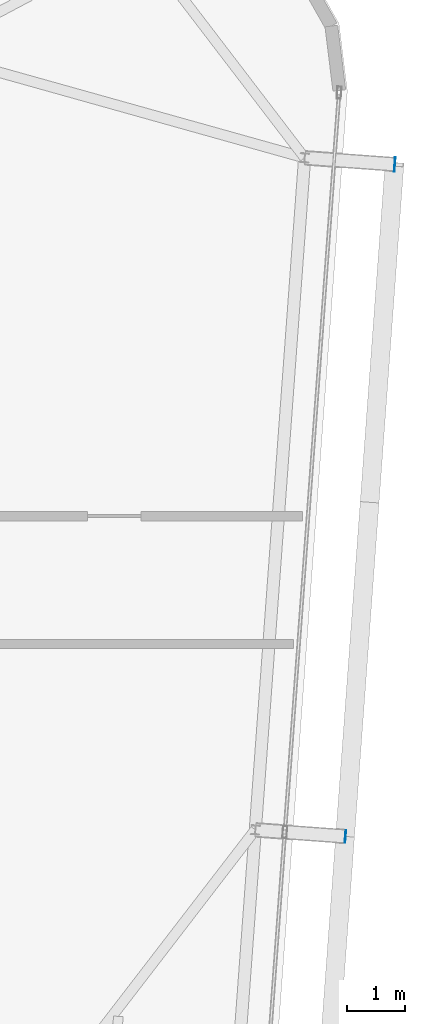
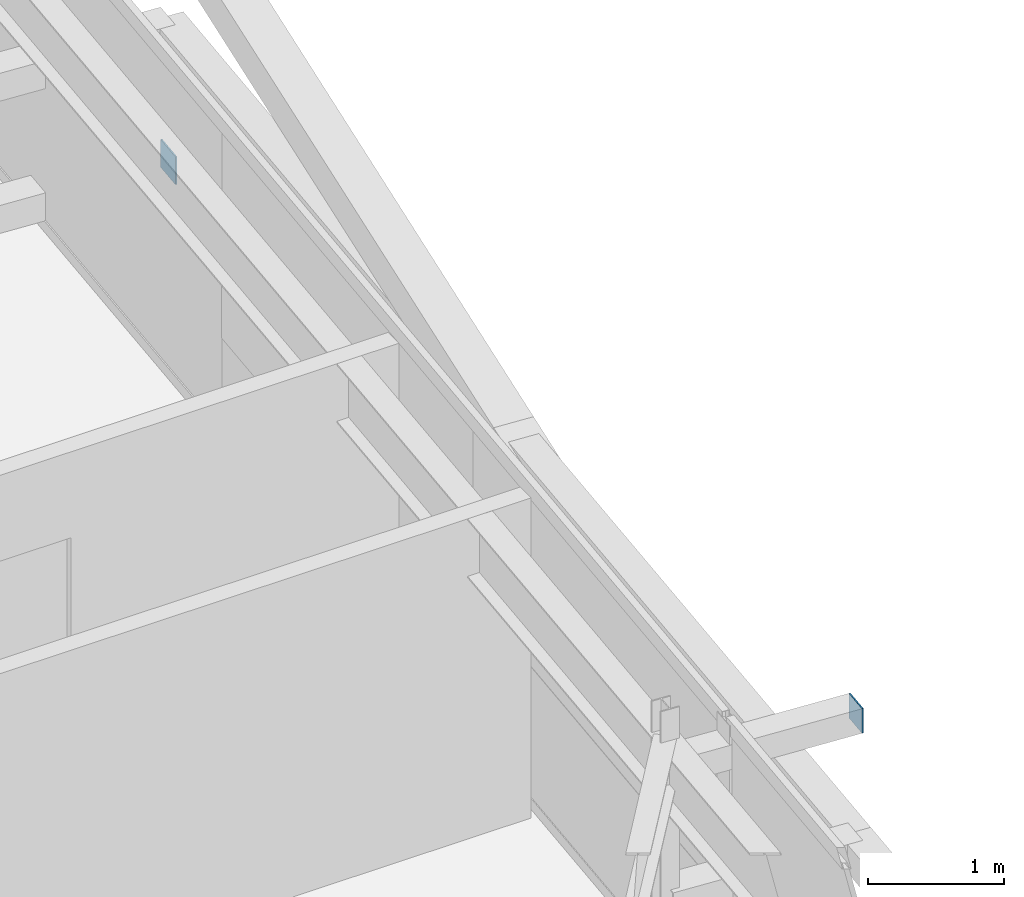
# One storey, part 33 of 40: 2 plates.
"""IFC4 building model written with IfcOpenShell, lengths in metres."""

from ifc_helpers import new_model, si_unit, direction, frame, origin, origin_2d, place, context, subcontext, project, spatial, rectangle, extrude, source, transform, mapped, material, layer, layer_set, type_object, element, save


model = new_model("IFC4")

# Units and contexts
model_context = context("Model", 3, precision=1e-05, world=origin(), true_north=direction((0.0, 1.0)))
body_context = subcontext(model_context, "Body", "Model", "MODEL_VIEW")
ifc_project = project(units=[si_unit("LENGTHUNIT", "METRE"), si_unit("AREAUNIT", "SQUARE_METRE"), si_unit("VOLUMEUNIT", "CUBIC_METRE"), si_unit("PLANEANGLEUNIT", "RADIAN"), si_unit("MASSUNIT", "GRAM", prefix="KILO")], contexts=[model_context])

# Site, building, storey
site_placement = place(None, origin())
site = spatial("IfcSite", under=ifc_project, at=site_placement, CompositionType="ELEMENT")
building_placement = place(site_placement, origin())
building = spatial("IfcBuilding", under=site, at=building_placement, Name="Taldren Reach Tower", CompositionType="ELEMENT")
storey_placement = place(building_placement, frame((0.0, 0.0, 233.449951171875)))
storey = spatial("IfcBuildingStorey", under=building, at=storey_placement, Name="L71", CompositionType="ELEMENT", Elevation=233.449951171875)

# Plates
ifc_material_1 = material(Name="Steel Gr 350 (C350L0)", Category="steel")
ifc_layer_1 = layer(ifc_material_1, 0.011962890625)
ifc_layer_set_1 = layer_set([ifc_layer_1], Name="Steel Gr 350 (C350L0)")
plate_type_1 = type_object("IfcPlateType", Name="PL-CAP-250", PredefinedType="SHEET", material=ifc_layer_set_1)
shared_shape_1 = source(origin(), body_context, "Body", "SweptSolid", [
    extrude(rectangle(XDim=0.011962890625, YDim=0.25, at=origin_2d()), origin(), (0.0, 0.0, 1.0), 0.25),
])
plate_1_placement = place(storey_placement, frame((59.0927734375, 30.0546875, 0.094970703125), z_axis=(0.0, 0.0, 1.0), x_axis=(0.997314477224, -0.073238197128, 0.0)))
element("IfcPlate", 1, at=plate_1_placement, inside=storey, type_object=plate_type_1, Name="Tie strut end cap plate B5-E3 L71", PredefinedType="SHEET", context=body_context, shape_type="MappedRepresentation", body=[
    mapped(shared_shape_1, transform((0.0, 0.0, 0.0), scale=1.0)),
])
ifc_material_2 = material(Name="Steel Gr 450 (C450L0)", Category="steel")
ifc_layer_2 = layer(ifc_material_2, 0.011962890625)
ifc_layer_set_2 = layer_set([ifc_layer_2], Name="Steel Gr 450 (C450L0)")
plate_type_2 = type_object("IfcPlateType", Name="PL-CAP-220", PredefinedType="SHEET", material=ifc_layer_set_2)
shared_shape_2 = source(origin(), body_context, "Body", "SweptSolid", [
    extrude(rectangle(XDim=0.011962890625, YDim=0.219970703125, at=origin_2d()), origin(), (0.0, 0.0, 1.0), 0.219970703125),
])
plate_2_placement = place(storey_placement, frame((58.2431640625, 18.48583984375, 2.47998046875), z_axis=(0.0, 0.0, 1.0), x_axis=(0.997314477224, -0.073238197128, 0.0)))
element("IfcPlate", 2, at=plate_2_placement, inside=storey, type_object=plate_type_2, Name="Tie strut end cap plate B5-E2 L71", PredefinedType="SHEET", context=body_context, shape_type="MappedRepresentation", body=[
    mapped(shared_shape_2, transform((0.0, 0.0, 0.0), scale=1.0)),
])

save(model, "model.ifc")
